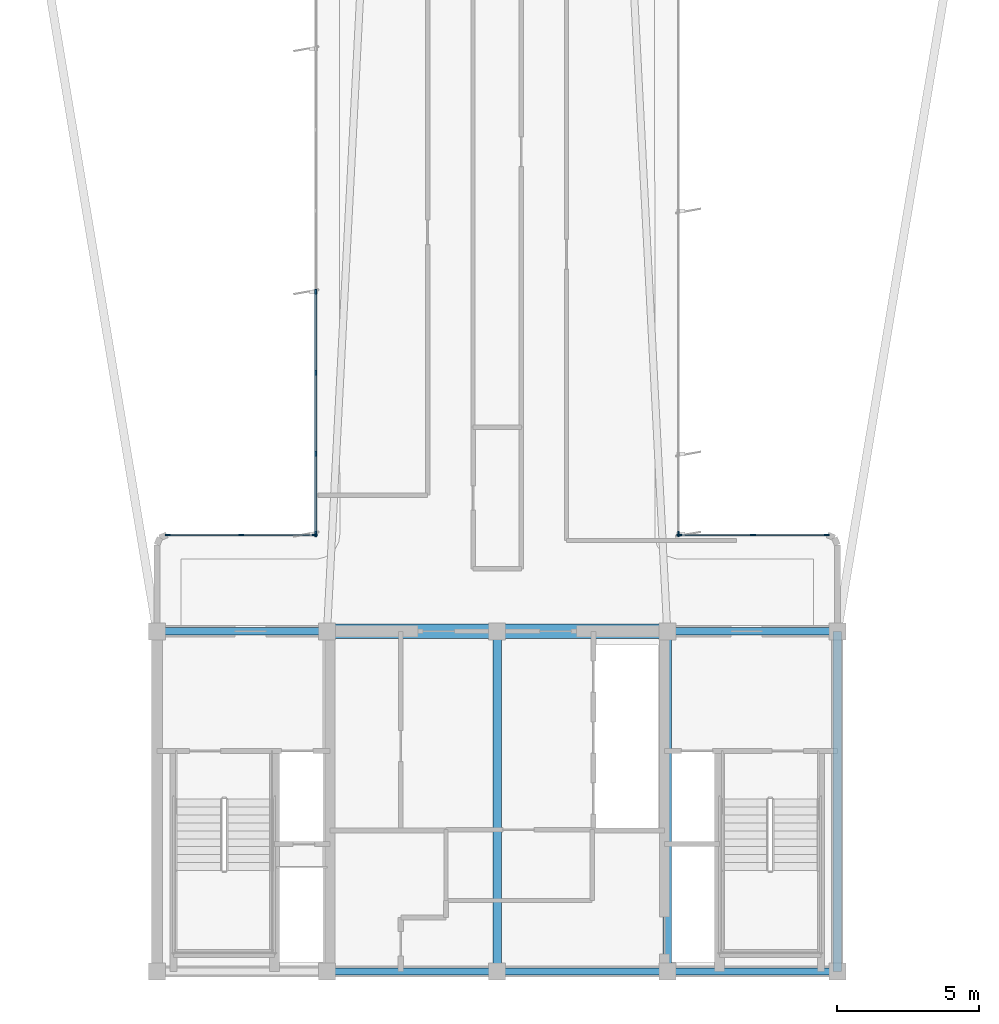
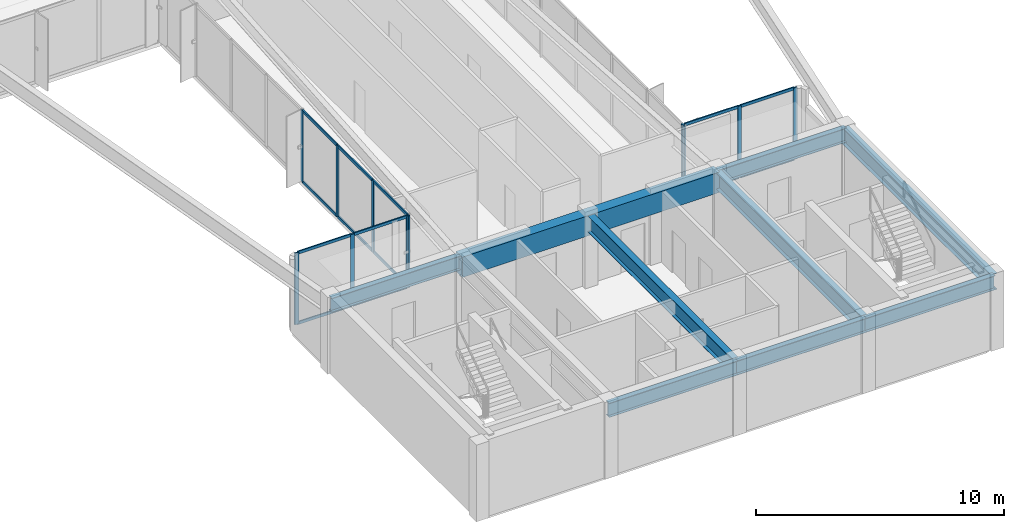
# One storey, part 2 of 14: 25 members, 9 beams, 4 elements without a shape of their own.
"""IFC4 building model written with IfcOpenShell, lengths in metres."""

from ifc_helpers import new_model, si_unit, direction, frame, origin, origin_2d, place, context, subcontext, project, spatial, rectangle, i_section, extrude, source, transform, mapped, material, layer, layer_set, material_profile, profile_set, type_object, element, aggregate, save


model = new_model("IFC4")

# Units and contexts
model_context = context("Model", 3, precision=1e-05, world=origin(), true_north=direction((0.0, 1.0)))
body_context = subcontext(model_context, "Body", "Model", "MODEL_VIEW")
ifc_project = project(units=[si_unit("LENGTHUNIT", "METRE"), si_unit("AREAUNIT", "SQUARE_METRE"), si_unit("VOLUMEUNIT", "CUBIC_METRE"), si_unit("PLANEANGLEUNIT", "RADIAN"), si_unit("MASSUNIT", "GRAM", prefix="KILO")], contexts=[model_context])

# Site, building, storey
site_placement = place(None, origin())
site = spatial("IfcSite", under=ifc_project, at=site_placement, CompositionType="ELEMENT")
building_placement = place(site_placement, origin())
building = spatial("IfcBuilding", under=site, at=building_placement, Name="Brelvock Crest Care Tower", CompositionType="ELEMENT")
storey_placement = place(building_placement, frame((0.0, 0.0, 253.260009765625)))
storey = spatial("IfcBuildingStorey", under=building, at=storey_placement, Name="L64", CompositionType="ELEMENT", Elevation=253.260009765625)

# Beams
ifc_material_1 = material(Name="Steel Grade 350", Category="steel")
ifc_material_profile_1 = material_profile(ifc_material_1, i_section(OverallWidth=0.25, OverallDepth=0.699951171875, WebThickness=0.011962890625, FlangeThickness=0.02001953125, at=origin_2d()), Name="700WB150")
ifc_profile_set_1 = profile_set([ifc_material_profile_1], Name="Steel Grade 350")
beam_type_1 = type_object("IfcBeamType", Name="BM-G4", PredefinedType="BEAM", material=ifc_profile_set_1)
shared_shape_1 = source(origin(), body_context, "Body", "SweptSolid", [
    extrude(i_section(OverallWidth=0.25, OverallDepth=0.699951171875, WebThickness=0.011962890625, FlangeThickness=0.02001953125, at=origin_2d()), origin(), (0.0, 0.0, 1.0), 6.0),
])
for number, where, z_axis, x_axis, name in (
    (1, (24.0, 18.0, 3.179931640625), (1.0, 0.0, 0.0), (0.0, 1.0, 0.0), "BM-COREN-L64-1"),
    (2, (30.0, 6.0, 3.179931640625), (1.0, 0.0, 0.0), (0.0, 1.0, 0.0), "BM-CORES-L64-2"),
    (3, (36.0, 6.0, 3.179931640625), (1.0, 0.0, 0.0), (0.0, 1.0, 0.0), "BM-CORES-L64-3"),
    (4, (42.0, 6.0, 3.179931640625), (1.0, 0.0, 0.0), (0.0, 1.0, 0.0), "BM-CORES-L64-4"),
    (5, (42.0, 18.0, 3.179931640625), (1.0, 0.0, 0.0), (0.0, 1.0, 0.0), "BM-COREN-L64-4"),
):
    element("IfcBeam", number, at=place(storey_placement, frame(where, z_axis=z_axis, x_axis=x_axis)), inside=storey, type_object=beam_type_1, Name=name, PredefinedType="BEAM", context=body_context, shape_type="MappedRepresentation", body=[
        mapped(shared_shape_1, transform((0.0, 0.0, 0.0), x_axis=(1.0, 0.0, 0.0), y_axis=(0.0, 1.0, 0.0), z_axis=(0.0, 0.0, 1.0), scale=1.0)),
    ])
ifc_material_profile_2 = material_profile(ifc_material_1, i_section(OverallWidth=0.300048828125, OverallDepth=0.800048828125, WebThickness=0.013916015625, FlangeThickness=0.02197265625, at=origin_2d()), Name="800WB192")
ifc_profile_set_2 = profile_set([ifc_material_profile_2], Name="Steel Grade 350")
beam_type_2 = type_object("IfcBeamType", Name="BM-G5", PredefinedType="BEAM", material=ifc_profile_set_2)
shared_shape_2 = source(origin(), body_context, "Body", "SweptSolid", [
    extrude(i_section(OverallWidth=0.300048828125, OverallDepth=0.800048828125, WebThickness=0.013916015625, FlangeThickness=0.02197265625, at=origin_2d()), origin(), (0.0, 0.0, 1.0), 12.0),
])
for number, where, z_axis, x_axis, name in (
    (6, (36.0, 6.0, 3.1298828125), (0.0, 1.0, 0.0), (-1.0, 0.0, 0.0), "BM-COREX-L64-3"),
    (7, (42.0, 6.0, 3.1298828125), (0.0, 1.0, 0.0), (-1.0, 0.0, 0.0), "BM-COREX-L64-4"),
    (8, (48.0, 6.0, 3.1298828125), (0.0, 1.0, 0.0), (-1.0, 0.0, 0.0), "BM-COREX-L64-5"),
):
    element("IfcBeam", number, at=place(storey_placement, frame(where, z_axis=z_axis, x_axis=x_axis)), inside=storey, type_object=beam_type_2, Name=name, PredefinedType="BEAM", context=body_context, shape_type="MappedRepresentation", body=[
        mapped(shared_shape_2, transform((0.0, 0.0, 0.0), x_axis=(1.0, 0.0, 0.0), y_axis=(0.0, 1.0, 0.0), z_axis=(0.0, 0.0, 1.0), scale=1.0)),
    ])
ifc_material_2 = material(Name="Concrete S65 (65 MPa)", Category="concrete")
ifc_material_profile_3 = material_profile(ifc_material_2, rectangle(XDim=0.5, YDim=1.0, at=origin_2d()), Name="RC500x1000")
ifc_profile_set_3 = profile_set([ifc_material_profile_3], Name="Concrete S65 (65 MPa)")
beam_type_3 = type_object("IfcBeamType", Name="BM-LN2", PredefinedType="LINTEL", material=ifc_profile_set_3)
shared_shape_3 = source(origin(), body_context, "Body", "SweptSolid", [
    extrude(rectangle(XDim=0.5, YDim=1.0, at=origin_2d()), origin(), (0.0, 0.0, 1.0), 12.0),
])
beam_placement = place(storey_placement, frame((30.0, 18.0, 3.030029296875), z_axis=(1.0, 0.0, 0.0), x_axis=(0.0, 1.0, 0.0)))
element("IfcBeam", 9, at=beam_placement, inside=storey, type_object=beam_type_3, Name="L64 Core Coupling Lintel Beam", PredefinedType="LINTEL", context=body_context, shape_type="MappedRepresentation", body=[
    mapped(shared_shape_3, transform((0.0, 0.0, 0.0), x_axis=(1.0, 0.0, 0.0), y_axis=(0.0, 1.0, 0.0), z_axis=(0.0, 0.0, 1.0), scale=1.0)),
])

# Curtain wall, members
ifc_material_3 = material(Name="Dark Glass Double Glazed Low-E", Category="glass")
ifc_layer = layer(ifc_material_3, 0.239990234375, Name="CWS-5")
ifc_layer_set = layer_set([ifc_layer], Name="Dark Glass Double Glazed Low-E")
curtain_wall_type = type_object("IfcCurtainWallType", Name="CWS-5", PredefinedType="NOTDEFINED", material=ifc_layer_set)
curtain_wall_1_placement = place(storey_placement, origin())
curtain_wall_1 = element("IfcCurtainWall", 10, at=curtain_wall_1_placement, inside=storey, type_object=curtain_wall_type, Name="L64 Curtain Wall E10", PredefinedType="NOTDEFINED")
ifc_material_4 = material(Name="Aluminium 6063-T6", Category="aluminium")
ifc_material_profile_4 = material_profile(ifc_material_4, rectangle(XDim=0.06005859375, YDim=0.179931640625, at=origin_2d()), Name="ALU60x180")
ifc_profile_set_4 = profile_set([ifc_material_profile_4], Name="Aluminium 6063-T6")
member_type_1 = type_object("IfcMemberType", Name="CWM-2", PredefinedType="MULLION", material=ifc_profile_set_4)
shared_shape_4 = source(origin(), body_context, "Body", "SweptSolid", [
    extrude(rectangle(XDim=0.06005859375, YDim=0.179931640625, at=origin_2d()), origin(), (0.0, 0.0, 1.0), 3.530029296875),
])
member_1_placement = place(storey_placement, frame((24.3798828125, 21.39990234375, 0.0), z_axis=(0.0, 0.0, 1.0), x_axis=(0.0, 1.0, 0.0)))
member_1 = element("IfcMember", 11, at=member_1_placement, type_object=member_type_1, Name="CW-5 mullion 1", PredefinedType="MULLION", context=body_context, shape_type="MappedRepresentation", body=[
    mapped(shared_shape_4, transform((0.0, 0.0, 0.0), x_axis=(1.0, 0.0, 0.0), y_axis=(0.0, 1.0, 0.0), z_axis=(0.0, 0.0, 1.0), scale=1.0)),
])
member_2_placement = place(storey_placement, frame((26.97509765625, 21.39990234375, 0.0), z_axis=(0.0, 0.0, 1.0), x_axis=(0.0, 1.0, 0.0)))
member_2 = element("IfcMember", 12, at=member_2_placement, type_object=member_type_1, Name="CW-5 mullion 2", PredefinedType="MULLION", context=body_context, shape_type="MappedRepresentation", body=[
    mapped(shared_shape_4, transform((0.0, 0.0, 0.0), x_axis=(1.0, 0.0, 0.0), y_axis=(0.0, 1.0, 0.0), z_axis=(0.0, 0.0, 1.0), scale=1.0)),
])
member_3_placement = place(storey_placement, frame((29.570068359375, 21.39990234375, 0.0), z_axis=(0.0, 0.0, 1.0), x_axis=(0.0, 1.0, 0.0)))
member_3 = element("IfcMember", 13, at=member_3_placement, type_object=member_type_1, Name="CW-5 mullion 3", PredefinedType="MULLION", context=body_context, shape_type="MappedRepresentation", body=[
    mapped(shared_shape_4, transform((0.0, 0.0, 0.0), x_axis=(1.0, 0.0, 0.0), y_axis=(0.0, 1.0, 0.0), z_axis=(0.0, 0.0, 1.0), scale=1.0)),
])

curtain_wall_2_placement = place(storey_placement, origin())
curtain_wall_2 = element("IfcCurtainWall", 14, at=curtain_wall_2_placement, inside=storey, type_object=curtain_wall_type, Name="L64 Curtain Wall E11", PredefinedType="NOTDEFINED")
member_4_placement = place(storey_placement, frame((29.60009765625, 21.429931640625, 0.0), z_axis=(0.0, 0.0, 1.0), x_axis=(-1.0, 0.0, 0.0)))
member_4 = element("IfcMember", 15, at=member_4_placement, type_object=member_type_1, Name="CW-5 mullion 1", PredefinedType="MULLION", context=body_context, shape_type="MappedRepresentation", body=[
    mapped(shared_shape_4, transform((0.0, 0.0, 0.0), x_axis=(1.0, 0.0, 0.0), y_axis=(0.0, 1.0, 0.0), z_axis=(0.0, 0.0, 1.0), scale=1.0)),
])
member_5_placement = place(storey_placement, frame((29.60009765625, 24.257080078125, 0.0), z_axis=(0.0, 0.0, 1.0), x_axis=(-1.0, 0.0, 0.0)))
member_5 = element("IfcMember", 16, at=member_5_placement, type_object=member_type_1, Name="CW-5 mullion 2", PredefinedType="MULLION", context=body_context, shape_type="MappedRepresentation", body=[
    mapped(shared_shape_4, transform((0.0, 0.0, 0.0), x_axis=(1.0, 0.0, 0.0), y_axis=(0.0, 1.0, 0.0), z_axis=(0.0, 0.0, 1.0), scale=1.0)),
])
member_6_placement = place(storey_placement, frame((29.60009765625, 27.1142578125, 0.0), z_axis=(0.0, 0.0, 1.0), x_axis=(-1.0, 0.0, 0.0)))
member_6 = element("IfcMember", 17, at=member_6_placement, type_object=member_type_1, Name="CW-5 mullion 3", PredefinedType="MULLION", context=body_context, shape_type="MappedRepresentation", body=[
    mapped(shared_shape_4, transform((0.0, 0.0, 0.0), x_axis=(1.0, 0.0, 0.0), y_axis=(0.0, 1.0, 0.0), z_axis=(0.0, 0.0, 1.0), scale=1.0)),
])
member_7_placement = place(storey_placement, frame((29.60009765625, 29.971435546875, 0.0), z_axis=(0.0, 0.0, 1.0), x_axis=(-1.0, 0.0, 0.0)))
member_7 = element("IfcMember", 18, at=member_7_placement, type_object=member_type_1, Name="CW-5 mullion 4", PredefinedType="MULLION", context=body_context, shape_type="MappedRepresentation", body=[
    mapped(shared_shape_4, transform((0.0, 0.0, 0.0), x_axis=(1.0, 0.0, 0.0), y_axis=(0.0, 1.0, 0.0), z_axis=(0.0, 0.0, 1.0), scale=1.0)),
])

# Curtain wall, member
curtain_wall_3_placement = place(storey_placement, origin())
curtain_wall_3 = element("IfcCurtainWall", 19, at=curtain_wall_3_placement, inside=storey, type_object=curtain_wall_type, Name="L64 Curtain Wall E45", PredefinedType="NOTDEFINED")
member_8_placement = place(storey_placement, frame((42.39990234375, 21.429931640625, 0.0), z_axis=(0.0, 0.0, 1.0), x_axis=(1.0, 0.0, 0.0)))
member_8 = element("IfcMember", 20, at=member_8_placement, type_object=member_type_1, Name="CW-5 mullion 8", PredefinedType="MULLION", context=body_context, shape_type="MappedRepresentation", body=[
    mapped(shared_shape_4, transform((0.0, 0.0, 0.0), x_axis=(1.0, 0.0, 0.0), y_axis=(0.0, 1.0, 0.0), z_axis=(0.0, 0.0, 1.0), scale=1.0)),
])
aggregate(curtain_wall_3, [member_8])

# Curtain wall, members
curtain_wall_4_placement = place(storey_placement, origin())
curtain_wall_4 = element("IfcCurtainWall", 21, at=curtain_wall_4_placement, inside=storey, type_object=curtain_wall_type, Name="L64 Curtain Wall E46", PredefinedType="NOTDEFINED")
member_9_placement = place(storey_placement, frame((42.429931640625, 21.39990234375, 0.0), z_axis=(0.0, 0.0, 1.0), x_axis=(0.0, 1.0, 0.0)))
member_9 = element("IfcMember", 22, at=member_9_placement, type_object=member_type_1, Name="CW-5 mullion 1", PredefinedType="MULLION", context=body_context, shape_type="MappedRepresentation", body=[
    mapped(shared_shape_4, transform((0.0, 0.0, 0.0), x_axis=(1.0, 0.0, 0.0), y_axis=(0.0, 1.0, 0.0), z_axis=(0.0, 0.0, 1.0), scale=1.0)),
])
member_10_placement = place(storey_placement, frame((45.02490234375, 21.39990234375, 0.0), z_axis=(0.0, 0.0, 1.0), x_axis=(0.0, 1.0, 0.0)))
member_10 = element("IfcMember", 23, at=member_10_placement, type_object=member_type_1, Name="CW-5 mullion 2", PredefinedType="MULLION", context=body_context, shape_type="MappedRepresentation", body=[
    mapped(shared_shape_4, transform((0.0, 0.0, 0.0), x_axis=(1.0, 0.0, 0.0), y_axis=(0.0, 1.0, 0.0), z_axis=(0.0, 0.0, 1.0), scale=1.0)),
])
member_11_placement = place(storey_placement, frame((47.6201171875, 21.39990234375, 0.0), z_axis=(0.0, 0.0, 1.0), x_axis=(0.0, 1.0, 0.0)))
member_11 = element("IfcMember", 24, at=member_11_placement, type_object=member_type_1, Name="CW-5 mullion 3", PredefinedType="MULLION", context=body_context, shape_type="MappedRepresentation", body=[
    mapped(shared_shape_4, transform((0.0, 0.0, 0.0), x_axis=(1.0, 0.0, 0.0), y_axis=(0.0, 1.0, 0.0), z_axis=(0.0, 0.0, 1.0), scale=1.0)),
])

# Member
ifc_material_profile_5 = material_profile(ifc_material_4, rectangle(XDim=0.06005859375, YDim=0.139892578125, at=origin_2d()), Name="ALU60x140")
ifc_profile_set_5 = profile_set([ifc_material_profile_5], Name="Aluminium 6063-T6")
member_type_2 = type_object("IfcMemberType", Name="CWT-2", PredefinedType="USERDEFINED", material=ifc_profile_set_5)
shared_shape_5 = source(origin(), body_context, "Body", "SweptSolid", [
    extrude(rectangle(XDim=0.06005859375, YDim=0.139892578125, at=origin_2d()), origin(), (0.0, 0.0, 1.0), 2.53515625),
])
member_12_placement = place(storey_placement, frame((24.409912109375, 21.39990234375, 0.030029296875), z_axis=(1.0, 0.0, 0.0), x_axis=(0.0, 1.0, 0.0)))
member_12 = element("IfcMember", 25, at=member_12_placement, type_object=member_type_2, Name="CW-5 transom 1.1", ObjectType="TRANSOM", PredefinedType="USERDEFINED", context=body_context, shape_type="MappedRepresentation", body=[
    mapped(shared_shape_5, transform((0.0, 0.0, 0.0), x_axis=(1.0, 0.0, 0.0), y_axis=(0.0, 1.0, 0.0), z_axis=(0.0, 0.0, 1.0), scale=1.0)),
])

member_13_placement = place(storey_placement, frame((24.409912109375, 21.39990234375, 3.5), z_axis=(1.0, 0.0, 0.0), x_axis=(0.0, 1.0, 0.0)))
member_13 = element("IfcMember", 26, at=member_13_placement, type_object=member_type_2, Name="CW-5 transom 1.2", ObjectType="TRANSOM", PredefinedType="USERDEFINED", context=body_context, shape_type="MappedRepresentation", body=[
    mapped(shared_shape_5, transform((0.0, 0.0, 0.0), x_axis=(1.0, 0.0, 0.0), y_axis=(0.0, 1.0, 0.0), z_axis=(0.0, 0.0, 1.0), scale=1.0)),
])

member_14_placement = place(storey_placement, frame((27.0048828125, 21.39990234375, 0.030029296875), z_axis=(1.0, 0.0, 0.0), x_axis=(0.0, 1.0, 0.0)))
member_14 = element("IfcMember", 27, at=member_14_placement, type_object=member_type_2, Name="CW-5 transom 2.1", ObjectType="TRANSOM", PredefinedType="USERDEFINED", context=body_context, shape_type="MappedRepresentation", body=[
    mapped(shared_shape_5, transform((0.0, 0.0, 0.0), x_axis=(1.0, 0.0, 0.0), y_axis=(0.0, 1.0, 0.0), z_axis=(0.0, 0.0, 1.0), scale=1.0)),
])

member_15_placement = place(storey_placement, frame((27.0048828125, 21.39990234375, 3.5), z_axis=(1.0, 0.0, 0.0), x_axis=(0.0, 1.0, 0.0)))
member_15 = element("IfcMember", 28, at=member_15_placement, type_object=member_type_2, Name="CW-5 transom 2.2", ObjectType="TRANSOM", PredefinedType="USERDEFINED", context=body_context, shape_type="MappedRepresentation", body=[
    mapped(shared_shape_5, transform((0.0, 0.0, 0.0), x_axis=(1.0, 0.0, 0.0), y_axis=(0.0, 1.0, 0.0), z_axis=(0.0, 0.0, 1.0), scale=1.0)),
])

aggregate(curtain_wall_1, [member_1, member_2, member_3, member_12, member_13, member_14, member_15])

member_16_placement = place(storey_placement, frame((42.4599609375, 21.39990234375, 0.030029296875), z_axis=(1.0, 0.0, 0.0), x_axis=(0.0, 1.0, 0.0)))
member_16 = element("IfcMember", 29, at=member_16_placement, type_object=member_type_2, Name="CW-5 transom 1.1", ObjectType="TRANSOM", PredefinedType="USERDEFINED", context=body_context, shape_type="MappedRepresentation", body=[
    mapped(shared_shape_5, transform((0.0, 0.0, 0.0), x_axis=(1.0, 0.0, 0.0), y_axis=(0.0, 1.0, 0.0), z_axis=(0.0, 0.0, 1.0), scale=1.0)),
])

member_17_placement = place(storey_placement, frame((42.4599609375, 21.39990234375, 3.5), z_axis=(1.0, 0.0, 0.0), x_axis=(0.0, 1.0, 0.0)))
member_17 = element("IfcMember", 30, at=member_17_placement, type_object=member_type_2, Name="CW-5 transom 1.2", ObjectType="TRANSOM", PredefinedType="USERDEFINED", context=body_context, shape_type="MappedRepresentation", body=[
    mapped(shared_shape_5, transform((0.0, 0.0, 0.0), x_axis=(1.0, 0.0, 0.0), y_axis=(0.0, 1.0, 0.0), z_axis=(0.0, 0.0, 1.0), scale=1.0)),
])

member_18_placement = place(storey_placement, frame((45.054931640625, 21.39990234375, 0.030029296875), z_axis=(1.0, 0.0, 0.0), x_axis=(0.0, 1.0, 0.0)))
member_18 = element("IfcMember", 31, at=member_18_placement, type_object=member_type_2, Name="CW-5 transom 2.1", ObjectType="TRANSOM", PredefinedType="USERDEFINED", context=body_context, shape_type="MappedRepresentation", body=[
    mapped(shared_shape_5, transform((0.0, 0.0, 0.0), x_axis=(1.0, 0.0, 0.0), y_axis=(0.0, 1.0, 0.0), z_axis=(0.0, 0.0, 1.0), scale=1.0)),
])

member_19_placement = place(storey_placement, frame((45.054931640625, 21.39990234375, 3.5), z_axis=(1.0, 0.0, 0.0), x_axis=(0.0, 1.0, 0.0)))
member_19 = element("IfcMember", 32, at=member_19_placement, type_object=member_type_2, Name="CW-5 transom 2.2", ObjectType="TRANSOM", PredefinedType="USERDEFINED", context=body_context, shape_type="MappedRepresentation", body=[
    mapped(shared_shape_5, transform((0.0, 0.0, 0.0), x_axis=(1.0, 0.0, 0.0), y_axis=(0.0, 1.0, 0.0), z_axis=(0.0, 0.0, 1.0), scale=1.0)),
])

aggregate(curtain_wall_4, [member_9, member_10, member_11, member_16, member_17, member_18, member_19])

shared_shape_6 = source(origin(), body_context, "Body", "SweptSolid", [
    extrude(rectangle(XDim=0.06005859375, YDim=0.139892578125, at=origin_2d()), origin(), (0.0, 0.0, 1.0), 2.76708984375),
])
member_20_placement = place(storey_placement, frame((29.60009765625, 21.4599609375, 0.030029296875), z_axis=(0.0, 1.0, 0.0), x_axis=(-1.0, 0.0, 0.0)))
member_20 = element("IfcMember", 33, at=member_20_placement, type_object=member_type_2, Name="CW-5 transom 1.1", ObjectType="TRANSOM", PredefinedType="USERDEFINED", context=body_context, shape_type="MappedRepresentation", body=[
    mapped(shared_shape_6, transform((0.0, 0.0, 0.0), x_axis=(1.0, 0.0, 0.0), y_axis=(0.0, 1.0, 0.0), z_axis=(0.0, 0.0, 1.0), scale=1.0)),
])

member_21_placement = place(storey_placement, frame((29.60009765625, 21.4599609375, 3.5), z_axis=(0.0, 1.0, 0.0), x_axis=(-1.0, 0.0, 0.0)))
member_21 = element("IfcMember", 34, at=member_21_placement, type_object=member_type_2, Name="CW-5 transom 1.2", ObjectType="TRANSOM", PredefinedType="USERDEFINED", context=body_context, shape_type="MappedRepresentation", body=[
    mapped(shared_shape_6, transform((0.0, 0.0, 0.0), x_axis=(1.0, 0.0, 0.0), y_axis=(0.0, 1.0, 0.0), z_axis=(0.0, 0.0, 1.0), scale=1.0)),
])

shared_shape_7 = source(origin(), body_context, "Body", "SweptSolid", [
    extrude(rectangle(XDim=0.06005859375, YDim=0.139892578125, at=origin_2d()), origin(), (0.0, 0.0, 1.0), 2.797119140625),
])
member_22_placement = place(storey_placement, frame((29.60009765625, 24.287109375, 0.030029296875), z_axis=(0.0, 1.0, 0.0), x_axis=(-1.0, 0.0, 0.0)))
member_22 = element("IfcMember", 35, at=member_22_placement, type_object=member_type_2, Name="CW-5 transom 2.1", ObjectType="TRANSOM", PredefinedType="USERDEFINED", context=body_context, shape_type="MappedRepresentation", body=[
    mapped(shared_shape_7, transform((0.0, 0.0, 0.0), x_axis=(1.0, 0.0, 0.0), y_axis=(0.0, 1.0, 0.0), z_axis=(0.0, 0.0, 1.0), scale=1.0)),
])

member_23_placement = place(storey_placement, frame((29.60009765625, 24.287109375, 3.5), z_axis=(0.0, 1.0, 0.0), x_axis=(-1.0, 0.0, 0.0)))
member_23 = element("IfcMember", 36, at=member_23_placement, type_object=member_type_2, Name="CW-5 transom 2.2", ObjectType="TRANSOM", PredefinedType="USERDEFINED", context=body_context, shape_type="MappedRepresentation", body=[
    mapped(shared_shape_7, transform((0.0, 0.0, 0.0), x_axis=(1.0, 0.0, 0.0), y_axis=(0.0, 1.0, 0.0), z_axis=(0.0, 0.0, 1.0), scale=1.0)),
])

member_24_placement = place(storey_placement, frame((29.60009765625, 27.144287109375, 0.030029296875), z_axis=(0.0, 1.0, 0.0), x_axis=(-1.0, 0.0, 0.0)))
member_24 = element("IfcMember", 37, at=member_24_placement, type_object=member_type_2, Name="CW-5 transom 3.1", ObjectType="TRANSOM", PredefinedType="USERDEFINED", context=body_context, shape_type="MappedRepresentation", body=[
    mapped(shared_shape_7, transform((0.0, 0.0, 0.0), x_axis=(1.0, 0.0, 0.0), y_axis=(0.0, 1.0, 0.0), z_axis=(0.0, 0.0, 1.0), scale=1.0)),
])

member_25_placement = place(storey_placement, frame((29.60009765625, 27.144287109375, 3.5), z_axis=(0.0, 1.0, 0.0), x_axis=(-1.0, 0.0, 0.0)))
member_25 = element("IfcMember", 38, at=member_25_placement, type_object=member_type_2, Name="CW-5 transom 3.2", ObjectType="TRANSOM", PredefinedType="USERDEFINED", context=body_context, shape_type="MappedRepresentation", body=[
    mapped(shared_shape_7, transform((0.0, 0.0, 0.0), x_axis=(1.0, 0.0, 0.0), y_axis=(0.0, 1.0, 0.0), z_axis=(0.0, 0.0, 1.0), scale=1.0)),
])

aggregate(curtain_wall_2, [member_4, member_5, member_6, member_7, member_20, member_21, member_22, member_23, member_24, member_25])

save(model, "model.ifc")
